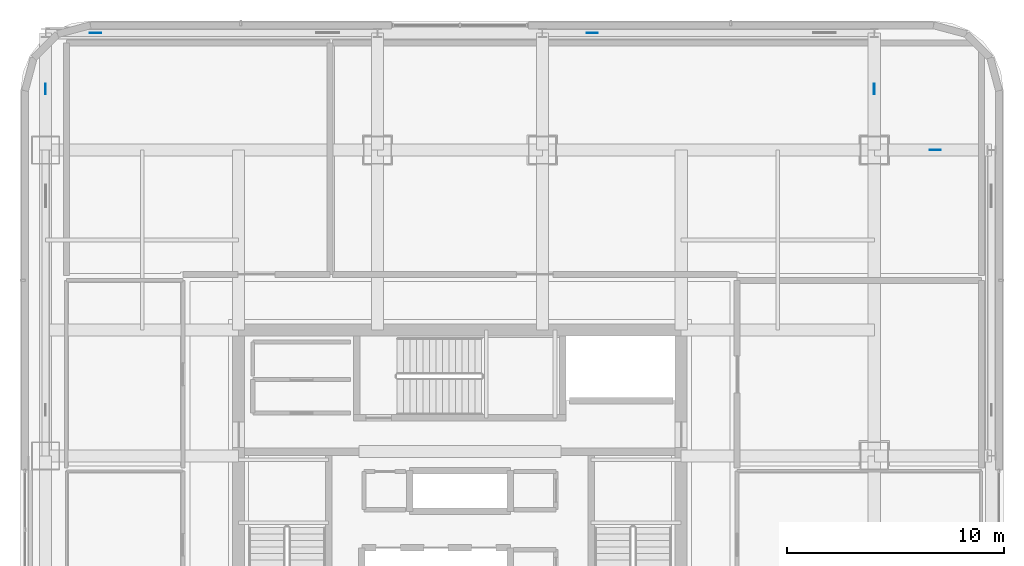
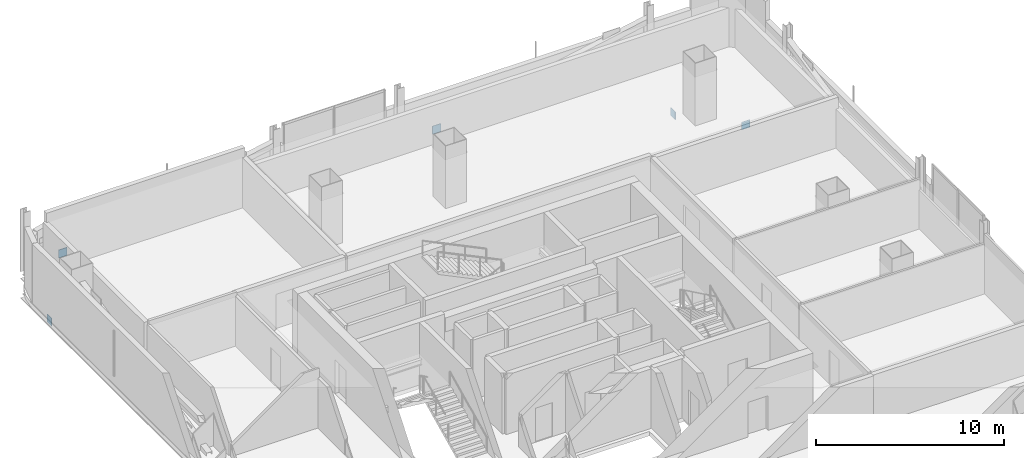
# One storey, part 15 of 30: 5 plates.
"""IFC4 building model written with IfcOpenShell, lengths in metres."""

from ifc_helpers import new_model, si_unit, direction, frame, origin, origin_2d, place, context, subcontext, project, spatial, rectangle, extrude, material, layer, layer_set, type_object, element, save


model = new_model("IFC4")

# Units and contexts
model_context = context("Model", 3, precision=1e-05, world=origin(), true_north=direction((0.0, 1.0)))
body_context = subcontext(model_context, "Body", "Model", "MODEL_VIEW")
ifc_project = project(units=[si_unit("LENGTHUNIT", "METRE"), si_unit("AREAUNIT", "SQUARE_METRE"), si_unit("VOLUMEUNIT", "CUBIC_METRE"), si_unit("PLANEANGLEUNIT", "RADIAN"), si_unit("MASSUNIT", "GRAM", prefix="KILO")], contexts=[model_context])

# Site, building, storey
site_placement = place(None, origin())
site = spatial("IfcSite", under=ifc_project, at=site_placement, CompositionType="ELEMENT")
building_placement = place(site_placement, origin())
building = spatial("IfcBuilding", under=site, at=building_placement, Name="Punatoya Terracotta Tower", CompositionType="ELEMENT")
storey_placement = place(building_placement, frame((0.0, 0.0, 251.39990234375)))
storey = spatial("IfcBuildingStorey", under=building, at=storey_placement, Name="L59", CompositionType="ELEMENT", Elevation=251.39990234375)

# Plates
ifc_material = material(Name="Steel S460", Category="steel")
ifc_layer = layer(ifc_material, 0.031982421875)
ifc_layer_set = layer_set([ifc_layer], Name="Steel S460")
plate_type = type_object("IfcPlateType", Name="PLT-END-32", PredefinedType="USERDEFINED", material=ifc_layer_set)
for number, where, z_axis, x_axis, name in (
    (1, (-16.804931640625, 22.89990234375, 0.214599609375), (0.0, 0.0, 1.0), (1.0, 0.0, 0.0), "L59 Exoskeleton Base Node Plate N1"),
    (2, (6.094970703125, 22.89990234375, 0.214599609375), (0.0, 0.0, 1.0), (1.0, 0.0, 0.0), "L59 Exoskeleton Base Node Plate N3"),
):
    element("IfcPlate", number, at=place(storey_placement, frame(where, z_axis=z_axis, x_axis=x_axis)), inside=storey, type_object=plate_type, Name=name, ObjectType="FLANGE_PLATE", PredefinedType="USERDEFINED", context=body_context, shape_type="SweptSolid", body=[
        extrude(rectangle(XDim=0.52001953125, YDim=0.031982421875, at=origin_2d()), origin(), (0.0, 0.0, 1.0), 0.52001953125),
    ])
for number, where, z_axis, x_axis, name in (
    (3, (21.916015625, 17.5, -1.77392578125), (0.0, 0.0, 1.0), (1.0, 0.0, 0.0), "L59 Knee-Strut Upper End Cap Plate E2"),
    (4, (-19.10009765625, 20.31591796875, -1.77392578125), (0.0, 0.0, 1.0), (0.0, 1.0, 0.0), "L59 Knee-Strut Upper End Cap Plate N1"),
    (5, (19.10009765625, 20.31591796875, -1.77392578125), (0.0, 0.0, 1.0), (0.0, 1.0, 0.0), "L59 Knee-Strut Upper End Cap Plate N2"),
):
    element("IfcPlate", number, at=place(storey_placement, frame(where, z_axis=z_axis, x_axis=x_axis)), inside=storey, type_object=plate_type, Name=name, ObjectType="FLANGE_PLATE", PredefinedType="USERDEFINED", context=body_context, shape_type="SweptSolid", body=[
        extrude(rectangle(XDim=0.5, YDim=0.031982421875, at=origin_2d()), origin(), (0.0, 0.0, 1.0), 0.5),
    ])

save(model, "model.ifc")
